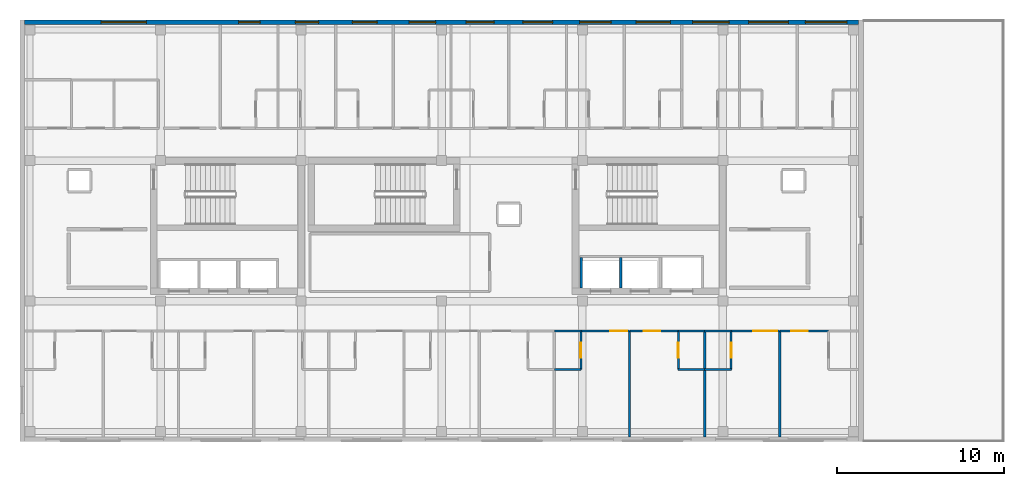
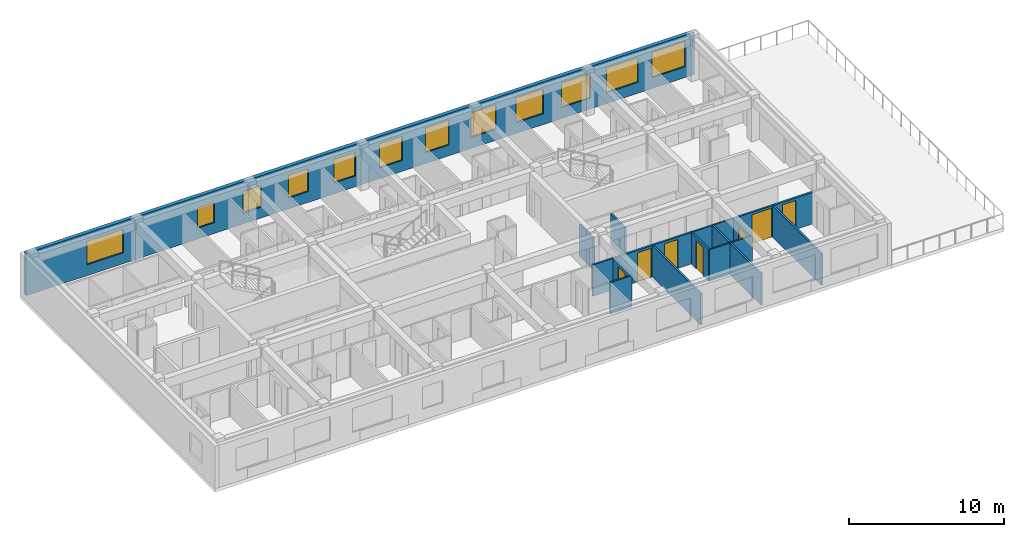
# One storey, part 5 of 9: 19 walls, 12 windows, 7 doors, 19 openings.
"""IFC4 building model written with IfcOpenShell, lengths in metres."""

from ifc_helpers import new_model, si_unit, direction, frame, frame_2d, origin, place, context, subcontext, project, spatial, rectangle, extrude, material, layer, layer_set, type_object, element, fill, save


model = new_model("IFC4")

# Units and contexts
model_context = context("Model", 3, precision=1e-05, world=origin(), true_north=direction((0.0, 1.0)))
body_context = subcontext(model_context, "Body", "Model", "MODEL_VIEW")
ifc_project = project(units=[si_unit("LENGTHUNIT", "METRE"), si_unit("AREAUNIT", "SQUARE_METRE"), si_unit("VOLUMEUNIT", "CUBIC_METRE"), si_unit("PLANEANGLEUNIT", "RADIAN"), si_unit("MASSUNIT", "GRAM", prefix="KILO")], contexts=[model_context])

# Site, building, storey
site_placement = place(None, origin())
site = spatial("IfcSite", under=ifc_project, at=site_placement, CompositionType="ELEMENT")
building_placement = place(site_placement, origin())
building = spatial("IfcBuilding", under=site, at=building_placement, Name="Zayran Congress Hotel", CompositionType="ELEMENT")
storey_placement = place(building_placement, frame((0.0, 0.0, 40.800048828125)))
storey = spatial("IfcBuildingStorey", under=building, at=storey_placement, Name="L10", CompositionType="ELEMENT", Elevation=40.800048828125)

# Wall, openings, windows
ifc_material_1 = material(Name="Hajar Ma'ani limestone cavity wall and concrete C32/40", Category="masonry")
ifc_layer_1 = layer(ifc_material_1, 0.280029296875)
ifc_layer_set_1 = layer_set([ifc_layer_1], Name="Hajar Ma'ani limestone cavity wall and concrete C32/40")
wall_type_1 = type_object("IfcWallType", Name="WL-EX-280", PredefinedType="SOLIDWALL", material=ifc_layer_set_1)
wall_1_placement = place(storey_placement, frame((17.080078125, 33.860107421875, 0.0), z_axis=(0.0, 0.0, 1.0), x_axis=(1.0, 0.0, 0.0)))
wall_1 = element("IfcWall", 1, at=wall_1_placement, inside=storey, type_object=wall_type_1, Name="EW-V5-N-L10", PredefinedType="SOLIDWALL", context=body_context, shape_type="SweptSolid", body=[
    extrude(rectangle(XDim=49.83984375, YDim=0.280029296875, at=frame_2d((24.919921875, 0.0))), origin(), (0.0, 0.0, 1.0), 3.33984375),
])
opening_1_placement = place(wall_1_placement, frame((4.570068359375, 0.0, 0.85009765625)))
opening_1 = element("IfcOpeningElement", 2, at=opening_1_placement, cuts=wall_1, Name="Opening WN-04", PredefinedType="OPENING", context=body_context, shape_type="SweptSolid", body=[
    extrude(rectangle(XDim=2.699951171875, YDim=1.85009765625, at=frame_2d((1.35009765625, 0.925048828125))), frame((0.0, 0.14990234375, 0.0), z_axis=(0.0, -1.0, 0.0), x_axis=(1.0, 0.0, 0.0)), (0.0, 0.0, 1.0), 0.300048828125),
])
opening_2_placement = place(wall_1_placement, frame((12.782958984375, 0.0, 0.85009765625)))
opening_2 = element("IfcOpeningElement", 3, at=opening_2_placement, cuts=wall_1, Name="Opening WN-32", PredefinedType="OPENING", context=body_context, shape_type="SweptSolid", body=[
    extrude(rectangle(XDim=1.280029296875, YDim=1.60009765625, at=frame_2d((0.64013671875, 0.800048828125))), frame((0.0, 0.14990234375, 0.0), z_axis=(0.0, -1.0, 0.0), x_axis=(1.0, 0.0, 0.0)), (0.0, 0.0, 1.0), 0.300048828125),
])
opening_3_placement = place(wall_1_placement, frame((16.180908203125, 0.0, 0.85009765625)))
opening_3 = element("IfcOpeningElement", 4, at=opening_3_placement, cuts=wall_1, Name="Opening WN-33", PredefinedType="OPENING", context=body_context, shape_type="SweptSolid", body=[
    extrude(rectangle(XDim=1.3798828125, YDim=1.699951171875, at=frame_2d((0.68994140625, 0.85009765625))), frame((0.0, 0.14990234375, 0.0), z_axis=(0.0, -1.0, 0.0), x_axis=(1.0, 0.0, 0.0)), (0.0, 0.0, 1.0), 0.300048828125),
])
opening_4_placement = place(wall_1_placement, frame((19.577880859375, 0.0, 0.85009765625)))
opening_4 = element("IfcOpeningElement", 5, at=opening_4_placement, cuts=wall_1, Name="Opening WN-34", PredefinedType="OPENING", context=body_context, shape_type="SweptSolid", body=[
    extrude(rectangle(XDim=1.47998046875, YDim=1.800048828125, at=frame_2d((0.739990234375, 0.89990234375))), frame((0.0, 0.14990234375, 0.0), z_axis=(0.0, -1.0, 0.0), x_axis=(1.0, 0.0, 0.0)), (0.0, 0.0, 1.0), 0.300048828125),
])
opening_5_placement = place(wall_1_placement, frame((22.97607421875, 0.0, 0.85009765625)))
opening_5 = element("IfcOpeningElement", 6, at=opening_5_placement, cuts=wall_1, Name="Opening WN-35", PredefinedType="OPENING", context=body_context, shape_type="SweptSolid", body=[
    extrude(rectangle(XDim=1.580078125, YDim=1.85009765625, at=frame_2d((0.7900390625, 0.925048828125))), frame((0.0, 0.14990234375, 0.0), z_axis=(0.0, -1.0, 0.0), x_axis=(1.0, 0.0, 0.0)), (0.0, 0.0, 1.0), 0.300048828125),
])
opening_6_placement = place(wall_1_placement, frame((26.373046875, 0.0, 0.85009765625)))
opening_6 = element("IfcOpeningElement", 7, at=opening_6_placement, cuts=wall_1, Name="Opening WN-36", PredefinedType="OPENING", context=body_context, shape_type="SweptSolid", body=[
    extrude(rectangle(XDim=1.679931640625, YDim=1.89990234375, at=frame_2d((0.83984375, 0.949951171875))), frame((0.0, 0.14990234375, 0.0), z_axis=(0.0, -1.0, 0.0), x_axis=(1.0, 0.0, 0.0)), (0.0, 0.0, 1.0), 0.300048828125),
])
opening_7_placement = place(wall_1_placement, frame((29.77001953125, 0.0, 0.85009765625)))
opening_7 = element("IfcOpeningElement", 8, at=opening_7_placement, cuts=wall_1, Name="Opening WN-37", PredefinedType="OPENING", context=body_context, shape_type="SweptSolid", body=[
    extrude(rectangle(XDim=1.780029296875, YDim=1.949951171875, at=frame_2d((0.89013671875, 0.97509765625))), frame((0.0, 0.14990234375, 0.0), z_axis=(0.0, -1.0, 0.0), x_axis=(1.0, 0.0, 0.0)), (0.0, 0.0, 1.0), 0.300048828125),
])
opening_8_placement = place(wall_1_placement, frame((33.16796875, 0.0, 0.85009765625)))
opening_8 = element("IfcOpeningElement", 9, at=opening_8_placement, cuts=wall_1, Name="Opening WN-38", PredefinedType="OPENING", context=body_context, shape_type="SweptSolid", body=[
    extrude(rectangle(XDim=1.8798828125, YDim=1.949951171875, at=frame_2d((0.93994140625, 0.97509765625))), frame((0.0, 0.14990234375, 0.0), z_axis=(0.0, -1.0, 0.0), x_axis=(1.0, 0.0, 0.0)), (0.0, 0.0, 1.0), 0.300048828125),
])
opening_9_placement = place(wall_1_placement, frame((36.530029296875, 0.0, 0.85009765625)))
opening_9 = element("IfcOpeningElement", 10, at=opening_9_placement, cuts=wall_1, Name="Opening WN-39", PredefinedType="OPENING", context=body_context, shape_type="SweptSolid", body=[
    extrude(rectangle(XDim=2.050048828125, YDim=1.949951171875, at=frame_2d((1.02490234375, 0.97509765625))), frame((0.0, 0.14990234375, 0.0), z_axis=(0.0, -1.0, 0.0), x_axis=(1.0, 0.0, 0.0)), (0.0, 0.0, 1.0), 0.300048828125),
])
opening_10_placement = place(wall_1_placement, frame((39.912109375, 0.0, 0.85009765625)))
opening_10 = element("IfcOpeningElement", 11, at=opening_10_placement, cuts=wall_1, Name="Opening WN-40", PredefinedType="OPENING", context=body_context, shape_type="SweptSolid", body=[
    extrude(rectangle(XDim=2.179931640625, YDim=1.949951171875, at=frame_2d((1.08984375, 0.97509765625))), frame((0.0, 0.14990234375, 0.0), z_axis=(0.0, -1.0, 0.0), x_axis=(1.0, 0.0, 0.0)), (0.0, 0.0, 1.0), 0.300048828125),
])
opening_11_placement = place(wall_1_placement, frame((43.259033203125, 0.0, 0.85009765625)))
opening_11 = element("IfcOpeningElement", 12, at=opening_11_placement, cuts=wall_1, Name="Opening WN-41", PredefinedType="OPENING", context=body_context, shape_type="SweptSolid", body=[
    extrude(rectangle(XDim=2.3798828125, YDim=1.949951171875, at=frame_2d((1.18994140625, 0.97509765625))), frame((0.0, 0.14990234375, 0.0), z_axis=(0.0, -1.0, 0.0), x_axis=(1.0, 0.0, 0.0)), (0.0, 0.0, 1.0), 0.300048828125),
])
opening_12_placement = place(wall_1_placement, frame((46.656982421875, 0.0, 0.85009765625)))
opening_12 = element("IfcOpeningElement", 13, at=opening_12_placement, cuts=wall_1, Name="Opening WN-42", PredefinedType="OPENING", context=body_context, shape_type="SweptSolid", body=[
    extrude(rectangle(XDim=2.47998046875, YDim=2.0, at=frame_2d((1.239990234375, 1.0))), frame((0.0, 0.14990234375, 0.0), z_axis=(0.0, -1.0, 0.0), x_axis=(1.0, 0.0, 0.0)), (0.0, 0.0, 1.0), 0.300048828125),
])
ifc_material_2 = material(Name="Anodised aluminium and low-E insulated glass", Category="aluminium")
window_type_1 = type_object("IfcWindowType", Name="TP-WN-04", PartitioningType="TRIPLE_PANEL_VERTICAL", PredefinedType="WINDOW", material=ifc_material_2)
window_1_placement = place(opening_1_placement, origin())
window_1 = element("IfcWindow", 14, at=window_1_placement, inside=storey, type_object=window_type_1, Name="WIN-V5N-L10-0453", OverallHeight=1.85009765625, OverallWidth=2.699951171875, PartitioningType="SINGLE_PANEL", PredefinedType="WINDOW", context=body_context, shape_type="SweptSolid", body=[
    extrude(rectangle(XDim=2.699951171875, YDim=1.85009765625, at=frame_2d((1.35009765625, 0.925048828125))), frame((0.0, 0.030029296875, 0.0), z_axis=(0.0, -1.0, 0.0), x_axis=(1.0, 0.0, 0.0)), (0.0, 0.0, 1.0), 0.06005859375),
])
fill(opening_1, window_1)
window_type_2 = type_object("IfcWindowType", Name="TP-WN-32", PartitioningType="SINGLE_PANEL", PredefinedType="WINDOW", material=ifc_material_2)
window_2_placement = place(opening_2_placement, origin())
window_2 = element("IfcWindow", 15, at=window_2_placement, inside=storey, type_object=window_type_2, Name="WIN-V5N-L10-0454", OverallHeight=1.60009765625, OverallWidth=1.280029296875, PartitioningType="SINGLE_PANEL", PredefinedType="WINDOW", context=body_context, shape_type="SweptSolid", body=[
    extrude(rectangle(XDim=1.280029296875, YDim=1.60009765625, at=frame_2d((0.64013671875, 0.800048828125))), frame((0.0, 0.030029296875, 0.0), z_axis=(0.0, -1.0, 0.0), x_axis=(1.0, 0.0, 0.0)), (0.0, 0.0, 1.0), 0.06005859375),
])
fill(opening_2, window_2)
window_type_3 = type_object("IfcWindowType", Name="TP-WN-33", PartitioningType="SINGLE_PANEL", PredefinedType="WINDOW", material=ifc_material_2)
window_3_placement = place(opening_3_placement, origin())
window_3 = element("IfcWindow", 16, at=window_3_placement, inside=storey, type_object=window_type_3, Name="WIN-V5N-L10-0455", OverallHeight=1.699951171875, OverallWidth=1.3798828125, PartitioningType="SINGLE_PANEL", PredefinedType="WINDOW", context=body_context, shape_type="SweptSolid", body=[
    extrude(rectangle(XDim=1.3798828125, YDim=1.699951171875, at=frame_2d((0.68994140625, 0.85009765625))), frame((0.0, 0.030029296875, 0.0), z_axis=(0.0, -1.0, 0.0), x_axis=(1.0, 0.0, 0.0)), (0.0, 0.0, 1.0), 0.06005859375),
])
fill(opening_3, window_3)
window_type_4 = type_object("IfcWindowType", Name="TP-WN-34", PartitioningType="SINGLE_PANEL", PredefinedType="WINDOW", material=ifc_material_2)
window_4_placement = place(opening_4_placement, origin())
window_4 = element("IfcWindow", 17, at=window_4_placement, inside=storey, type_object=window_type_4, Name="WIN-V5N-L10-0456", OverallHeight=1.800048828125, OverallWidth=1.47998046875, PartitioningType="SINGLE_PANEL", PredefinedType="WINDOW", context=body_context, shape_type="SweptSolid", body=[
    extrude(rectangle(XDim=1.47998046875, YDim=1.800048828125, at=frame_2d((0.739990234375, 0.89990234375))), frame((0.0, 0.030029296875, 0.0), z_axis=(0.0, -1.0, 0.0), x_axis=(1.0, 0.0, 0.0)), (0.0, 0.0, 1.0), 0.06005859375),
])
fill(opening_4, window_4)
window_type_5 = type_object("IfcWindowType", Name="TP-WN-35", PartitioningType="DOUBLE_PANEL_VERTICAL", PredefinedType="WINDOW", material=ifc_material_2)
window_5_placement = place(opening_5_placement, origin())
window_5 = element("IfcWindow", 18, at=window_5_placement, inside=storey, type_object=window_type_5, Name="WIN-V5N-L10-0457", OverallHeight=1.85009765625, OverallWidth=1.580078125, PartitioningType="SINGLE_PANEL", PredefinedType="WINDOW", context=body_context, shape_type="SweptSolid", body=[
    extrude(rectangle(XDim=1.580078125, YDim=1.85009765625, at=frame_2d((0.7900390625, 0.925048828125))), frame((0.0, 0.030029296875, 0.0), z_axis=(0.0, -1.0, 0.0), x_axis=(1.0, 0.0, 0.0)), (0.0, 0.0, 1.0), 0.06005859375),
])
fill(opening_5, window_5)
window_type_6 = type_object("IfcWindowType", Name="TP-WN-36", PartitioningType="DOUBLE_PANEL_VERTICAL", PredefinedType="WINDOW", material=ifc_material_2)
window_6_placement = place(opening_6_placement, origin())
window_6 = element("IfcWindow", 19, at=window_6_placement, inside=storey, type_object=window_type_6, Name="WIN-V5N-L10-0458", OverallHeight=1.89990234375, OverallWidth=1.679931640625, PartitioningType="SINGLE_PANEL", PredefinedType="WINDOW", context=body_context, shape_type="SweptSolid", body=[
    extrude(rectangle(XDim=1.679931640625, YDim=1.89990234375, at=frame_2d((0.83984375, 0.949951171875))), frame((0.0, 0.030029296875, 0.0), z_axis=(0.0, -1.0, 0.0), x_axis=(1.0, 0.0, 0.0)), (0.0, 0.0, 1.0), 0.06005859375),
])
fill(opening_6, window_6)
window_type_7 = type_object("IfcWindowType", Name="TP-WN-37", PartitioningType="DOUBLE_PANEL_VERTICAL", PredefinedType="WINDOW", material=ifc_material_2)
window_7_placement = place(opening_7_placement, origin())
window_7 = element("IfcWindow", 20, at=window_7_placement, inside=storey, type_object=window_type_7, Name="WIN-V5N-L10-0459", OverallHeight=1.949951171875, OverallWidth=1.780029296875, PartitioningType="SINGLE_PANEL", PredefinedType="WINDOW", context=body_context, shape_type="SweptSolid", body=[
    extrude(rectangle(XDim=1.780029296875, YDim=1.949951171875, at=frame_2d((0.89013671875, 0.97509765625))), frame((0.0, 0.030029296875, 0.0), z_axis=(0.0, -1.0, 0.0), x_axis=(1.0, 0.0, 0.0)), (0.0, 0.0, 1.0), 0.06005859375),
])
fill(opening_7, window_7)
window_type_8 = type_object("IfcWindowType", Name="TP-WN-38", PartitioningType="DOUBLE_PANEL_VERTICAL", PredefinedType="WINDOW", material=ifc_material_2)
window_8_placement = place(opening_8_placement, origin())
window_8 = element("IfcWindow", 21, at=window_8_placement, inside=storey, type_object=window_type_8, Name="WIN-V5N-L10-0460", OverallHeight=1.949951171875, OverallWidth=1.8798828125, PartitioningType="SINGLE_PANEL", PredefinedType="WINDOW", context=body_context, shape_type="SweptSolid", body=[
    extrude(rectangle(XDim=1.8798828125, YDim=1.949951171875, at=frame_2d((0.93994140625, 0.97509765625))), frame((0.0, 0.030029296875, 0.0), z_axis=(0.0, -1.0, 0.0), x_axis=(1.0, 0.0, 0.0)), (0.0, 0.0, 1.0), 0.06005859375),
])
fill(opening_8, window_8)
window_type_9 = type_object("IfcWindowType", Name="TP-WN-39", PartitioningType="DOUBLE_PANEL_VERTICAL", PredefinedType="WINDOW", material=ifc_material_2)
window_9_placement = place(opening_9_placement, origin())
window_9 = element("IfcWindow", 22, at=window_9_placement, inside=storey, type_object=window_type_9, Name="WIN-V5N-L10-0461", OverallHeight=1.949951171875, OverallWidth=2.050048828125, PartitioningType="SINGLE_PANEL", PredefinedType="WINDOW", context=body_context, shape_type="SweptSolid", body=[
    extrude(rectangle(XDim=2.050048828125, YDim=1.949951171875, at=frame_2d((1.02490234375, 0.97509765625))), frame((0.0, 0.030029296875, 0.0), z_axis=(0.0, -1.0, 0.0), x_axis=(1.0, 0.0, 0.0)), (0.0, 0.0, 1.0), 0.06005859375),
])
fill(opening_9, window_9)
window_type_10 = type_object("IfcWindowType", Name="TP-WN-40", PartitioningType="DOUBLE_PANEL_VERTICAL", PredefinedType="WINDOW", material=ifc_material_2)
window_10_placement = place(opening_10_placement, origin())
window_10 = element("IfcWindow", 23, at=window_10_placement, inside=storey, type_object=window_type_10, Name="WIN-V5N-L10-0462", OverallHeight=1.949951171875, OverallWidth=2.179931640625, PartitioningType="SINGLE_PANEL", PredefinedType="WINDOW", context=body_context, shape_type="SweptSolid", body=[
    extrude(rectangle(XDim=2.179931640625, YDim=1.949951171875, at=frame_2d((1.08984375, 0.97509765625))), frame((0.0, 0.030029296875, 0.0), z_axis=(0.0, -1.0, 0.0), x_axis=(1.0, 0.0, 0.0)), (0.0, 0.0, 1.0), 0.06005859375),
])
fill(opening_10, window_10)
window_type_11 = type_object("IfcWindowType", Name="TP-WN-41", PartitioningType="DOUBLE_PANEL_VERTICAL", PredefinedType="WINDOW", material=ifc_material_2)
window_11_placement = place(opening_11_placement, origin())
window_11 = element("IfcWindow", 24, at=window_11_placement, inside=storey, type_object=window_type_11, Name="WIN-V5N-L10-0463", OverallHeight=1.949951171875, OverallWidth=2.3798828125, PartitioningType="SINGLE_PANEL", PredefinedType="WINDOW", context=body_context, shape_type="SweptSolid", body=[
    extrude(rectangle(XDim=2.3798828125, YDim=1.949951171875, at=frame_2d((1.18994140625, 0.97509765625))), frame((0.0, 0.030029296875, 0.0), z_axis=(0.0, -1.0, 0.0), x_axis=(1.0, 0.0, 0.0)), (0.0, 0.0, 1.0), 0.06005859375),
])
fill(opening_11, window_11)
window_type_12 = type_object("IfcWindowType", Name="TP-WN-42", PartitioningType="DOUBLE_PANEL_VERTICAL", PredefinedType="WINDOW", material=ifc_material_2)
window_12_placement = place(opening_12_placement, origin())
window_12 = element("IfcWindow", 25, at=window_12_placement, inside=storey, type_object=window_type_12, Name="WIN-V5N-L10-0464", OverallHeight=2.0, OverallWidth=2.47998046875, PartitioningType="SINGLE_PANEL", PredefinedType="WINDOW", context=body_context, shape_type="SweptSolid", body=[
    extrude(rectangle(XDim=2.47998046875, YDim=2.0, at=frame_2d((1.239990234375, 1.0))), frame((0.0, 0.030029296875, 0.0), z_axis=(0.0, -1.0, 0.0), x_axis=(1.0, 0.0, 0.0)), (0.0, 0.0, 1.0), 0.06005859375),
])
fill(opening_12, window_12)

# Walls
ifc_material_3 = material(Name="Hospitality guestroom acoustic partition", Category="gypsum")
ifc_layer_2 = layer(ifc_material_3, 0.139892578125)
ifc_layer_set_2 = layer_set([ifc_layer_2], Name="Hospitality guestroom acoustic partition")
wall_type_2 = type_object("IfcWallType", Name="WL-PT-140", PredefinedType="PARTITIONING", material=ifc_layer_set_2)
for number, where, z_axis, x_axis, name in (
    (26, (50.330078125, 18.0, 0.0), (0.0, 0.0, 1.0), (0.0, 1.0, 0.0), "LSHW-C-V5E-L10-W"),
    (27, (52.699951171875, 18.0, 0.0), (0.0, 0.0, 1.0), (0.0, 1.0, 0.0), "LSHW-C-V5E-L10-DIV1"),
):
    element("IfcWall", number, at=place(storey_placement, frame(where, z_axis=z_axis, x_axis=x_axis)), inside=storey, type_object=wall_type_2, Name=name, PredefinedType="PARTITIONING", context=body_context, shape_type="SweptSolid", body=[
        extrude(rectangle(XDim=1.800048828125, YDim=0.139892578125, at=frame_2d((0.89990234375, 0.0))), origin(), (0.0, 0.0, 1.0), 2.469970703125),
    ])

# Wall, opening, door
wall_2_placement = place(storey_placement, frame((50.31494140625, 15.419921875, 0.0), z_axis=(0.0, 0.0, 1.0), x_axis=(1.0, 0.0, 0.0)))
wall_2 = element("IfcWall", 28, at=wall_2_placement, inside=storey, type_object=wall_type_2, Name="IW-L10-0820", PredefinedType="PARTITIONING", context=body_context, shape_type="SweptSolid", body=[
    extrude(rectangle(XDim=2.902099609375, YDim=0.139892578125, at=frame_2d((1.451171875, 0.0))), origin(), (0.0, 0.0, 1.0), 2.47998046875),
])
opening_13_placement = place(wall_2_placement, frame((1.761962890625, 0.0, 0.0)))
opening_13 = element("IfcOpeningElement", 29, at=opening_13_placement, cuts=wall_2, Name="Opening DR-GR-04", PredefinedType="OPENING", context=body_context, shape_type="SweptSolid", body=[
    extrude(rectangle(XDim=1.0, YDim=2.280029296875, at=frame_2d((0.5, 1.14013671875))), frame((0.0, 0.079833984375, 0.0), z_axis=(0.0, -1.0, 0.0), x_axis=(1.0, 0.0, 0.0)), (0.0, 0.0, 1.0), 0.159912109375),
])
ifc_material_4 = material(Name="Diplomatic walnut veneer entry door", Category="wood")
door_type_1 = type_object("IfcDoorType", Name="TP-DR-GR-04", OperationType="NOTDEFINED", PredefinedType="DOOR", material=ifc_material_4)
door_1_placement = place(opening_13_placement, origin())
door_1 = element("IfcDoor", 30, at=door_1_placement, inside=storey, type_object=door_type_1, Name="Guest Room L10-08 Door", OperationType="SINGLE_SWING_LEFT", OverallHeight=2.280029296875, OverallWidth=1.0, PredefinedType="DOOR", context=body_context, shape_type="SweptSolid", body=[
    extrude(rectangle(XDim=1.0, YDim=2.280029296875, at=frame_2d((0.5, 1.14013671875))), frame((0.0, 0.02490234375, 0.0), z_axis=(0.0, -1.0, 0.0), x_axis=(1.0, 0.0, 0.0)), (0.0, 0.0, 1.0), 0.050048828125),
])
fill(opening_13, door_1)

wall_3_placement = place(storey_placement, frame((53.237060546875, 15.419921875, 0.0), z_axis=(0.0, 0.0, 1.0), x_axis=(1.0, 0.0, 0.0)))
wall_3 = element("IfcWall", 31, at=wall_3_placement, inside=storey, type_object=wall_type_2, Name="IW-L10-0821", PredefinedType="PARTITIONING", context=body_context, shape_type="SweptSolid", body=[
    extrude(rectangle(XDim=2.90185546875, YDim=0.139892578125, at=frame_2d((1.450927734375, 0.0))), origin(), (0.0, 0.0, 1.0), 2.47998046875),
])
opening_14_placement = place(wall_3_placement, frame((0.8349609375, 0.0, 0.0)))
opening_14 = element("IfcOpeningElement", 32, at=opening_14_placement, cuts=wall_3, Name="Opening DR-GR-04", PredefinedType="OPENING", context=body_context, shape_type="SweptSolid", body=[
    extrude(rectangle(XDim=1.0, YDim=2.280029296875, at=frame_2d((0.5, 1.14013671875))), frame((0.0, 0.079833984375, 0.0), z_axis=(0.0, -1.0, 0.0), x_axis=(1.0, 0.0, 0.0)), (0.0, 0.0, 1.0), 0.159912109375),
])
door_2_placement = place(opening_14_placement, origin())
door_2 = element("IfcDoor", 33, at=door_2_placement, inside=storey, type_object=door_type_1, Name="Guest Room L10-09 Door", OperationType="SINGLE_SWING_RIGHT", OverallHeight=2.280029296875, OverallWidth=1.0, PredefinedType="DOOR", context=body_context, shape_type="SweptSolid", body=[
    extrude(rectangle(XDim=1.0, YDim=2.280029296875, at=frame_2d((0.5, 1.14013671875))), frame((0.0, 0.02490234375, 0.0), z_axis=(0.0, -1.0, 0.0), x_axis=(1.0, 0.0, 0.0)), (0.0, 0.0, 1.0), 0.050048828125),
])
fill(opening_14, door_2)

wall_4_placement = place(storey_placement, frame((59.297119140625, 15.419921875, 0.0), z_axis=(0.0, 0.0, 1.0), x_axis=(1.0, 0.0, 0.0)))
wall_4 = element("IfcWall", 34, at=wall_4_placement, inside=storey, type_object=wall_type_2, Name="IW-L10-0822", PredefinedType="PARTITIONING", context=body_context, shape_type="SweptSolid", body=[
    extrude(rectangle(XDim=2.90185546875, YDim=0.139892578125, at=frame_2d((1.450927734375, 0.0))), origin(), (0.0, 0.0, 1.0), 2.47998046875),
])
opening_15_placement = place(wall_4_placement, frame((1.31201171875, 0.0, 0.0)))
opening_15 = element("IfcOpeningElement", 35, at=opening_15_placement, cuts=wall_4, Name="Opening DR-ST-01", PredefinedType="OPENING", context=body_context, shape_type="SweptSolid", body=[
    extrude(rectangle(XDim=1.449951171875, YDim=2.300048828125, at=frame_2d((0.72509765625, 1.14990234375))), frame((0.0, 0.079833984375, 0.0), z_axis=(0.0, -1.0, 0.0), x_axis=(1.0, 0.0, 0.0)), (0.0, 0.0, 1.0), 0.159912109375),
])
ifc_material_5 = material(Name="Double walnut veneer suite entry door", Category="wood")
door_type_2 = type_object("IfcDoorType", Name="TP-DR-ST-01", OperationType="DOUBLE_DOOR_SINGLE_SWING", PredefinedType="DOOR", material=ifc_material_5)
door_3_placement = place(opening_15_placement, origin())
door_3 = element("IfcDoor", 36, at=door_3_placement, inside=storey, type_object=door_type_2, Name="Junior Suite L10-10 Door", OperationType="DOUBLE_DOOR_SINGLE_SWING", OverallHeight=2.300048828125, OverallWidth=1.449951171875, PredefinedType="DOOR", context=body_context, shape_type="SweptSolid", body=[
    extrude(rectangle(XDim=1.449951171875, YDim=2.300048828125, at=frame_2d((0.72509765625, 1.14990234375))), frame((0.0, 0.02490234375, 0.0), z_axis=(0.0, -1.0, 0.0), x_axis=(1.0, 0.0, 0.0)), (0.0, 0.0, 1.0), 0.050048828125),
])
fill(opening_15, door_3)

wall_5_placement = place(storey_placement, frame((62.218994140625, 15.419921875, 0.0), z_axis=(0.0, 0.0, 1.0), x_axis=(1.0, 0.0, 0.0)))
wall_5 = element("IfcWall", 37, at=wall_5_placement, inside=storey, type_object=wall_type_2, Name="IW-L10-0823", PredefinedType="PARTITIONING", context=body_context, shape_type="SweptSolid", body=[
    extrude(rectangle(XDim=2.902099609375, YDim=0.139892578125, at=frame_2d((1.451171875, 0.0))), origin(), (0.0, 0.0, 1.0), 2.47998046875),
])
opening_16_placement = place(wall_5_placement, frame((0.660888671875, 0.0, 0.0)))
opening_16 = element("IfcOpeningElement", 38, at=opening_16_placement, cuts=wall_5, Name="Opening DR-GR-04", PredefinedType="OPENING", context=body_context, shape_type="SweptSolid", body=[
    extrude(rectangle(XDim=1.0, YDim=2.280029296875, at=frame_2d((0.5, 1.14013671875))), frame((0.0, 0.079833984375, 0.0), z_axis=(0.0, -1.0, 0.0), x_axis=(1.0, 0.0, 0.0)), (0.0, 0.0, 1.0), 0.159912109375),
])
door_4_placement = place(opening_16_placement, origin())
door_4 = element("IfcDoor", 39, at=door_4_placement, inside=storey, type_object=door_type_1, Name="Guest Room L10-11 Door", OperationType="SINGLE_SWING_LEFT", OverallHeight=2.280029296875, OverallWidth=1.0, PredefinedType="DOOR", context=body_context, shape_type="SweptSolid", body=[
    extrude(rectangle(XDim=1.0, YDim=2.280029296875, at=frame_2d((0.5, 1.14013671875))), frame((0.0, 0.02490234375, 0.0), z_axis=(0.0, -1.0, 0.0), x_axis=(1.0, 0.0, 0.0)), (0.0, 0.0, 1.0), 0.050048828125),
])
fill(opening_16, door_4)

# Walls
for number, where, z_axis, x_axis, name in (
    (40, (53.217041015625, 9.080078125, 0.0), (0.0, 0.0, 1.0), (0.0, 1.0, 0.0), "IW-L10-2156"),
    (41, (57.7080078125, 9.080078125, 0.0), (0.0, 0.0, 1.0), (0.0, 1.0, 0.0), "IW-L10-2157"),
    (42, (62.198974609375, 9.080078125, 0.0), (0.0, 0.0, 1.0), (0.0, 1.0, 0.0), "IW-L10-2158"),
):
    element("IfcWall", number, at=place(storey_placement, frame(where, z_axis=z_axis, x_axis=x_axis)), inside=storey, type_object=wall_type_2, Name=name, PredefinedType="PARTITIONING", context=body_context, shape_type="SweptSolid", body=[
        extrude(rectangle(XDim=6.349853515625, YDim=0.139892578125, at=frame_2d((3.1748046875, 0.0))), origin(), (0.0, 0.0, 1.0), 2.47998046875),
    ])

# Wall, opening, door
ifc_material_6 = material(Name="Moisture-resistant bathroom partition", Category="gypsum")
ifc_layer_3 = layer(ifc_material_6, 0.1201171875)
ifc_layer_set_3 = layer_set([ifc_layer_3], Name="Moisture-resistant bathroom partition")
wall_type_3 = type_object("IfcWallType", Name="WL-PT-120", PredefinedType="PARTITIONING", material=ifc_layer_set_3)
wall_6_placement = place(storey_placement, frame((50.31494140625, 13.1201171875, 0.0), z_axis=(0.0, 0.0, 1.0), x_axis=(0.0, 1.0, 0.0)))
wall_6 = element("IfcWall", 43, at=wall_6_placement, inside=storey, type_object=wall_type_3, Name="IW-L10-0302", PredefinedType="PARTITIONING", context=body_context, shape_type="SweptSolid", body=[
    extrude(rectangle(XDim=2.309814453125, YDim=0.1201171875, at=frame_2d((1.15478515625, 0.0))), origin(), (0.0, 0.0, 1.0), 2.47998046875),
])
opening_17_placement = place(wall_6_placement, frame((0.705078125, 0.0, 0.0)))
opening_17 = element("IfcOpeningElement", 44, at=opening_17_placement, cuts=wall_6, Name="Opening DR-BT-03", PredefinedType="OPENING", context=body_context, shape_type="SweptSolid", body=[
    extrude(rectangle(XDim=0.89990234375, YDim=2.179931640625, at=frame_2d((0.449951171875, 1.08984375))), frame((0.0, 0.070068359375, 0.0), z_axis=(0.0, -1.0, 0.0), x_axis=(1.0, 0.0, 0.0)), (0.0, 0.0, 1.0), 0.14013671875),
])
ifc_material_7 = material(Name="Suite oak en-suite bathroom door", Category="wood")
door_type_3 = type_object("IfcDoorType", Name="TP-DR-BT-03", OperationType="NOTDEFINED", PredefinedType="DOOR", material=ifc_material_7)
door_5_placement = place(opening_17_placement, origin())
door_5 = element("IfcDoor", 45, at=door_5_placement, inside=storey, type_object=door_type_3, Name="En-Suite Bathroom L10-08 Door", OperationType="SINGLE_SWING_LEFT", OverallHeight=2.179931640625, OverallWidth=0.89990234375, PredefinedType="DOOR", context=body_context, shape_type="SweptSolid", body=[
    extrude(rectangle(XDim=0.89990234375, YDim=2.179931640625, at=frame_2d((0.449951171875, 1.08984375))), frame((0.0, 0.02490234375, 0.0), z_axis=(0.0, -1.0, 0.0), x_axis=(1.0, 0.0, 0.0)), (0.0, 0.0, 1.0), 0.050048828125),
])
fill(opening_17, door_5)

wall_7_placement = place(storey_placement, frame((56.138916015625, 13.1201171875, 0.0), z_axis=(0.0, 0.0, 1.0), x_axis=(0.0, 1.0, 0.0)))
wall_7 = element("IfcWall", 46, at=wall_7_placement, inside=storey, type_object=wall_type_3, Name="IW-L10-0303", PredefinedType="PARTITIONING", context=body_context, shape_type="SweptSolid", body=[
    extrude(rectangle(XDim=2.309814453125, YDim=0.1201171875, at=frame_2d((1.15478515625, 0.0))), origin(), (0.0, 0.0, 1.0), 2.47998046875),
])
opening_18_placement = place(wall_7_placement, frame((0.705078125, 0.0, 0.0)))
opening_18 = element("IfcOpeningElement", 47, at=opening_18_placement, cuts=wall_7, Name="Opening DR-BT-03", PredefinedType="OPENING", context=body_context, shape_type="SweptSolid", body=[
    extrude(rectangle(XDim=0.89990234375, YDim=2.179931640625, at=frame_2d((0.449951171875, 1.08984375))), frame((0.0, 0.070068359375, 0.0), z_axis=(0.0, -1.0, 0.0), x_axis=(1.0, 0.0, 0.0)), (0.0, 0.0, 1.0), 0.14013671875),
])
door_6_placement = place(opening_18_placement, origin())
door_6 = element("IfcDoor", 48, at=door_6_placement, inside=storey, type_object=door_type_3, Name="En-Suite Bathroom L10-09 Door", OperationType="SINGLE_SWING_RIGHT", OverallHeight=2.179931640625, OverallWidth=0.89990234375, PredefinedType="DOOR", context=body_context, shape_type="SweptSolid", body=[
    extrude(rectangle(XDim=0.89990234375, YDim=2.179931640625, at=frame_2d((0.449951171875, 1.08984375))), frame((0.0, 0.02490234375, 0.0), z_axis=(0.0, -1.0, 0.0), x_axis=(1.0, 0.0, 0.0)), (0.0, 0.0, 1.0), 0.050048828125),
])
fill(opening_18, door_6)

wall_8_placement = place(storey_placement, frame((59.297119140625, 13.1201171875, 0.0), z_axis=(0.0, 0.0, 1.0), x_axis=(0.0, 1.0, 0.0)))
wall_8 = element("IfcWall", 49, at=wall_8_placement, inside=storey, type_object=wall_type_3, Name="IW-L10-0304", PredefinedType="PARTITIONING", context=body_context, shape_type="SweptSolid", body=[
    extrude(rectangle(XDim=2.309814453125, YDim=0.1201171875, at=frame_2d((1.15478515625, 0.0))), origin(), (0.0, 0.0, 1.0), 2.47998046875),
])
opening_19_placement = place(wall_8_placement, frame((0.705078125, 0.0, 0.0)))
opening_19 = element("IfcOpeningElement", 50, at=opening_19_placement, cuts=wall_8, Name="Opening DR-BT-03", PredefinedType="OPENING", context=body_context, shape_type="SweptSolid", body=[
    extrude(rectangle(XDim=0.89990234375, YDim=2.179931640625, at=frame_2d((0.449951171875, 1.08984375))), frame((0.0, 0.070068359375, 0.0), z_axis=(0.0, -1.0, 0.0), x_axis=(1.0, 0.0, 0.0)), (0.0, 0.0, 1.0), 0.14013671875),
])
door_7_placement = place(opening_19_placement, origin())
door_7 = element("IfcDoor", 51, at=door_7_placement, inside=storey, type_object=door_type_3, Name="En-Suite Bathroom L10-10 Door", OperationType="SINGLE_SWING_LEFT", OverallHeight=2.179931640625, OverallWidth=0.89990234375, PredefinedType="DOOR", context=body_context, shape_type="SweptSolid", body=[
    extrude(rectangle(XDim=0.89990234375, YDim=2.179931640625, at=frame_2d((0.449951171875, 1.08984375))), frame((0.0, 0.02490234375, 0.0), z_axis=(0.0, -1.0, 0.0), x_axis=(1.0, 0.0, 0.0)), (0.0, 0.0, 1.0), 0.050048828125),
])
fill(opening_19, door_7)

# Walls
wall_9_placement = place(storey_placement, frame((48.736083984375, 13.1298828125, 0.0), z_axis=(0.0, 0.0, 1.0), x_axis=(1.0, 0.0, 0.0)))
element("IfcWall", 52, at=wall_9_placement, inside=storey, type_object=wall_type_3, Name="IW-L10-1471", PredefinedType="PARTITIONING", context=body_context, shape_type="SweptSolid", body=[
    extrude(rectangle(XDim=1.5888671875, YDim=0.1201171875, at=frame_2d((0.79443359375, 0.0))), origin(), (0.0, 0.0, 1.0), 2.47998046875),
])
wall_10_placement = place(storey_placement, frame((48.736083984375, 15.419921875, 0.0), z_axis=(0.0, 0.0, 1.0), x_axis=(1.0, 0.0, 0.0)))
element("IfcWall", 53, at=wall_10_placement, inside=storey, type_object=wall_type_3, Name="IW-L10-1472", PredefinedType="PARTITIONING", context=body_context, shape_type="SweptSolid", body=[
    extrude(rectangle(XDim=1.578857421875, YDim=0.1201171875, at=frame_2d((0.78955078125, 0.0))), origin(), (0.0, 0.0, 1.0), 2.47998046875),
])
wall_11_placement = place(storey_placement, frame((56.12890625, 13.1298828125, 0.0), z_axis=(0.0, 0.0, 1.0), x_axis=(1.0, 0.0, 0.0)))
element("IfcWall", 54, at=wall_11_placement, inside=storey, type_object=wall_type_3, Name="IW-L10-1473", PredefinedType="PARTITIONING", context=body_context, shape_type="SweptSolid", body=[
    extrude(rectangle(XDim=1.589111328125, YDim=0.1201171875, at=frame_2d((0.79443359375, 0.0))), origin(), (0.0, 0.0, 1.0), 2.47998046875),
])
wall_12_placement = place(storey_placement, frame((56.138916015625, 15.419921875, 0.0), z_axis=(0.0, 0.0, 1.0), x_axis=(1.0, 0.0, 0.0)))
element("IfcWall", 55, at=wall_12_placement, inside=storey, type_object=wall_type_3, Name="IW-L10-1474", PredefinedType="PARTITIONING", context=body_context, shape_type="SweptSolid", body=[
    extrude(rectangle(XDim=1.5791015625, YDim=0.1201171875, at=frame_2d((0.78955078125, 0.0))), origin(), (0.0, 0.0, 1.0), 2.47998046875),
])
wall_13_placement = place(storey_placement, frame((57.718017578125, 13.1298828125, 0.0), z_axis=(0.0, 0.0, 1.0), x_axis=(1.0, 0.0, 0.0)))
element("IfcWall", 56, at=wall_13_placement, inside=storey, type_object=wall_type_3, Name="IW-L10-1475", PredefinedType="PARTITIONING", context=body_context, shape_type="SweptSolid", body=[
    extrude(rectangle(XDim=1.5888671875, YDim=0.1201171875, at=frame_2d((0.79443359375, 0.0))), origin(), (0.0, 0.0, 1.0), 2.47998046875),
])
wall_14_placement = place(storey_placement, frame((57.718017578125, 15.419921875, 0.0), z_axis=(0.0, 0.0, 1.0), x_axis=(1.0, 0.0, 0.0)))
element("IfcWall", 57, at=wall_14_placement, inside=storey, type_object=wall_type_3, Name="IW-L10-1476", PredefinedType="PARTITIONING", context=body_context, shape_type="SweptSolid", body=[
    extrude(rectangle(XDim=1.5791015625, YDim=0.1201171875, at=frame_2d((0.78955078125, 0.0))), origin(), (0.0, 0.0, 1.0), 2.47998046875),
])

save(model, "model.ifc")
